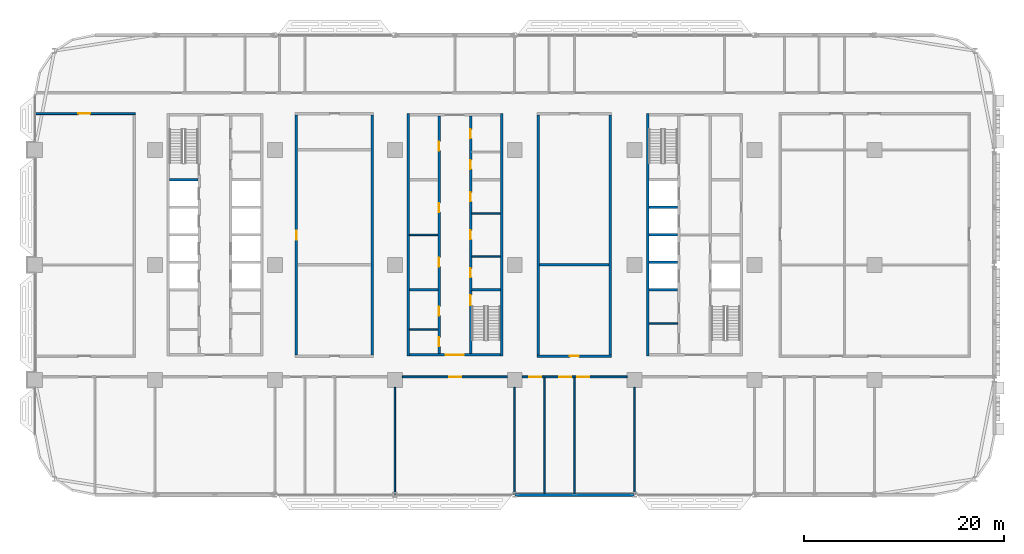
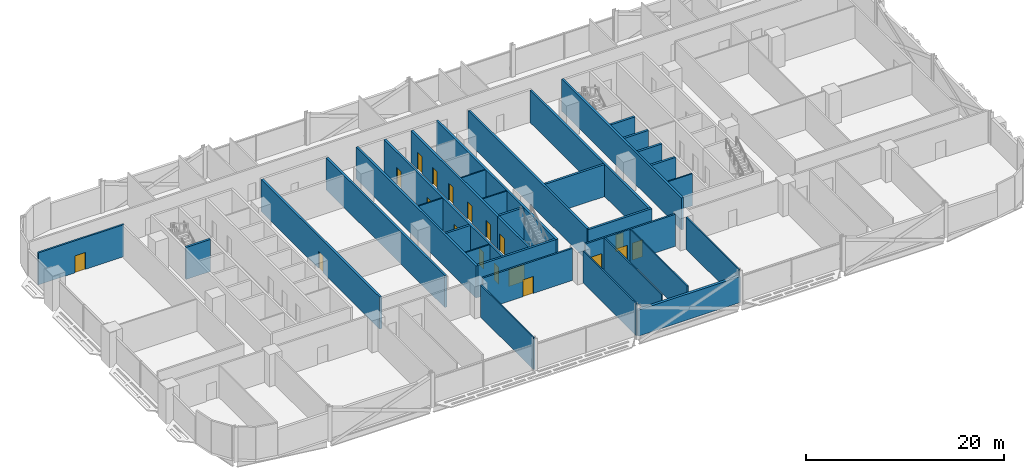
# One storey, part 13 of 29: 34 walls, 19 doors, 19 openings.
"""IFC4 building model written with IfcOpenShell, lengths in metres."""

from ifc_helpers import new_model, si_unit, direction, frame, frame_2d, origin, place, context, subcontext, project, spatial, rectangle, extrude, material, layer, layer_set, type_object, element, fill, save


model = new_model("IFC4")

# Units and contexts
model_context = context("Model", 3, precision=1e-05, world=origin(), true_north=direction((0.0, 1.0)))
body_context = subcontext(model_context, "Body", "Model", "MODEL_VIEW")
ifc_project = project(units=[si_unit("LENGTHUNIT", "METRE"), si_unit("AREAUNIT", "SQUARE_METRE"), si_unit("VOLUMEUNIT", "CUBIC_METRE"), si_unit("PLANEANGLEUNIT", "RADIAN"), si_unit("MASSUNIT", "GRAM", prefix="KILO")], contexts=[model_context])

# Site, building, storey
site_placement = place(None, origin())
site = spatial("IfcSite", under=ifc_project, at=site_placement, CompositionType="ELEMENT")
building_placement = place(site_placement, origin())
building = spatial("IfcBuilding", under=site, at=building_placement, Name="Mahtab Terrace Research Tower", CompositionType="ELEMENT")
storey_placement = place(building_placement, frame((0.0, 0.0, 67.5)))
storey = spatial("IfcBuildingStorey", under=building, at=storey_placement, Name="L15", CompositionType="ELEMENT", Elevation=67.5)

# Walls
ifc_material_1 = material(Name="Gypsum board partition")
ifc_layer_1 = layer(ifc_material_1, 0.14990234375)
ifc_layer_set_1 = layer_set([ifc_layer_1], Name="Core partition 150")
wall_type_1 = type_object("IfcWallType", Name="Core partition 150", PredefinedType="PARTITIONING", material=ifc_layer_set_1)
for number, where, z_axis, x_axis, name in (
    (1, (-4.550048828125, 3.0, 0.0), (0.0, 0.0, 1.0), (1.0, 0.0, 0.0), "Core wall B pWL0"),
    (2, (1.699951171875, 0.85009765625, 0.0), (0.0, 0.0, 1.0), (1.0, 0.0, 0.0), "Core wall B pEL-215"),
    (3, (1.699951171875, 5.14990234375, 0.0), (0.0, 0.0, 1.0), (1.0, 0.0, 0.0), "Core wall B pEL215"),
    (4, (-4.550048828125, -6.47509765625, 0.0), (0.0, 0.0, 1.0), (1.0, 0.0, 0.0), "Core wall B pWS-948"),
    (5, (19.449951171875, -5.875, 0.0), (0.0, 0.0, 1.0), (1.0, 0.0, 0.0), "Core wall C pWS-888"),
):
    element("IfcWall", number, at=place(storey_placement, frame(where, z_axis=z_axis, x_axis=x_axis)), inside=storey, type_object=wall_type_1, Name=name, PredefinedType="PARTITIONING", context=body_context, shape_type="SweptSolid", body=[
        extrude(rectangle(XDim=2.85009765625, YDim=0.14990234375, at=frame_2d((1.425048828125, 0.0))), origin(), (0.0, 0.0, 1.0), 3.9599609375),
    ])
ifc_material_2 = material(Name="Concrete C70/85", Category="concrete")
ifc_layer_2 = layer(ifc_material_2, 0.25)
ifc_layer_set_2 = layer_set([ifc_layer_2], Name="Core wall 250")
wall_type_2 = type_object("IfcWallType", Name="Core wall 250", PredefinedType="SOLIDWALL", material=ifc_layer_set_2)
wall_1_placement = place(storey_placement, frame((-28.550048828125, 8.5, 0.0), z_axis=(0.0, 0.0, 1.0), x_axis=(1.0, 0.0, 0.0)))
element("IfcWall", 6, at=wall_1_placement, inside=storey, type_object=wall_type_2, Name="Core wall A divW4", PredefinedType="SOLIDWALL", context=body_context, shape_type="SweptSolid", body=[
    extrude(rectangle(XDim=2.85009765625, YDim=0.25, at=frame_2d((1.425048828125, 0.0))), origin(), (0.0, 0.0, 1.0), 3.9599609375),
])
for number, where, z_axis, x_axis, name in (
    (7, (-4.675048828125, 15.125, 0.0), (0.0, 0.0, 1.0), (0.0, -1.0, 0.0), "Core wall B outerW"),
    (8, (4.675048828125, -9.125, 0.0), (0.0, 0.0, 1.0), (0.0, 1.0, 0.0), "Core wall B outerE"),
):
    element("IfcWall", number, at=place(storey_placement, frame(where, z_axis=z_axis, x_axis=x_axis)), inside=storey, type_object=wall_type_2, Name=name, PredefinedType="SOLIDWALL", context=body_context, shape_type="SweptSolid", body=[
        extrude(rectangle(XDim=24.25, YDim=0.25, at=frame_2d((12.125, 0.0))), origin(), (0.0, 0.0, 1.0), 3.9599609375),
    ])

# Wall, opening, door
wall_2_placement = place(storey_placement, frame((4.550048828125, -9.0, 0.0), z_axis=(0.0, 0.0, 1.0), x_axis=(-1.0, 0.0, 0.0)))
wall_2 = element("IfcWall", 9, at=wall_2_placement, inside=storey, type_object=wall_type_2, Name="Core wall B endS", PredefinedType="SOLIDWALL", context=body_context, shape_type="SweptSolid", body=[
    extrude(rectangle(XDim=9.10009765625, YDim=0.25, at=frame_2d((4.550048828125, 0.0))), origin(), (0.0, 0.0, 1.0), 3.9599609375),
])
opening_1_placement = place(wall_2_placement, frame((3.64990234375, 0.0, 0.0)))
opening_1 = element("IfcOpeningElement", 10, at=opening_1_placement, cuts=wall_2, Name="Opening B-S1", PredefinedType="OPENING", context=body_context, shape_type="SweptSolid", body=[
    extrude(rectangle(XDim=1.800048828125, YDim=2.10009765625, at=frame_2d((0.89990234375, 1.050048828125))), frame((0.0, 0.135009765625, 0.0), z_axis=(0.0, -1.0, 0.0), x_axis=(1.0, 0.0, 0.0)), (0.0, 0.0, 1.0), 0.27001953125),
])
ifc_material_3 = material(Name="Steel fire door", Category="steel")
door_type_1 = type_object("IfcDoorType", Name="Lobby double door 1800x2100 1 HR", OperationType="DOUBLE_DOOR_SINGLE_SWING", PredefinedType="DOOR", material=ifc_material_3)
door_1_placement = place(opening_1_placement, origin())
door_1 = element("IfcDoor", 11, at=door_1_placement, inside=storey, type_object=door_type_1, Name="Core entrance door B S", OperationType="DOUBLE_DOOR_SINGLE_SWING", OverallHeight=2.10009765625, OverallWidth=1.800048828125, PredefinedType="DOOR", context=body_context, shape_type="SweptSolid", body=[
    extrude(rectangle(XDim=1.800048828125, YDim=2.10009765625, at=frame_2d((0.89990234375, 1.050048828125))), frame((0.0, 0.02490234375, 0.0), z_axis=(0.0, -1.0, 0.0), x_axis=(1.0, 0.0, 0.0)), (0.0, 0.0, 1.0), 0.050048828125),
])
fill(opening_1, door_1)

# Wall, openings, doors
wall_3_placement = place(storey_placement, frame((-1.574951171875, -8.875, 0.0), z_axis=(0.0, 0.0, 1.0), x_axis=(0.0, 1.0, 0.0)))
wall_3 = element("IfcWall", 12, at=wall_3_placement, inside=storey, type_object=wall_type_2, Name="Core wall B innerWSLN", PredefinedType="SOLIDWALL", context=body_context, shape_type="SweptSolid", body=[
    extrude(rectangle(XDim=23.75, YDim=0.25, at=frame_2d((11.875, 0.0))), origin(), (0.0, 0.0, 1.0), 3.9599609375),
])
opening_2_placement = place(wall_3_placement, frame((8.699951171875, 0.0, 0.0)))
opening_2 = element("IfcOpeningElement", 13, at=opening_2_placement, cuts=wall_3, Name="Opening B-R1", PredefinedType="OPENING", context=body_context, shape_type="SweptSolid", body=[
    extrude(rectangle(XDim=0.89990234375, YDim=2.10009765625, at=frame_2d((0.449951171875, 1.050048828125))), frame((0.0, 0.135009765625, 0.0), z_axis=(0.0, -1.0, 0.0), x_axis=(1.0, 0.0, 0.0)), (0.0, 0.0, 1.0), 0.27001953125),
])
opening_3_placement = place(wall_3_placement, frame((14.14990234375, 0.0, 0.0)))
opening_3 = element("IfcOpeningElement", 14, at=opening_3_placement, cuts=wall_3, Name="Opening B-R2", PredefinedType="OPENING", context=body_context, shape_type="SweptSolid", body=[
    extrude(rectangle(XDim=0.89990234375, YDim=2.10009765625, at=frame_2d((0.449951171875, 1.050048828125))), frame((0.0, 0.135009765625, 0.0), z_axis=(0.0, -1.0, 0.0), x_axis=(1.0, 0.0, 0.0)), (0.0, 0.0, 1.0), 0.27001953125),
])
opening_4_placement = place(wall_3_placement, frame((0.71240234375, 0.0, 0.0)))
opening_4 = element("IfcOpeningElement", 15, at=opening_4_placement, cuts=wall_3, Name="Opening B-R6", PredefinedType="OPENING", context=body_context, shape_type="SweptSolid", body=[
    extrude(rectangle(XDim=0.89990234375, YDim=2.10009765625, at=frame_2d((0.449951171875, 1.050048828125))), frame((0.0, 0.135009765625, 0.0), z_axis=(0.0, -1.0, 0.0), x_axis=(1.0, 0.0, 0.0)), (0.0, 0.0, 1.0), 0.27001953125),
])
opening_5_placement = place(wall_3_placement, frame((3.78759765625, 0.0, 0.0)))
opening_5 = element("IfcOpeningElement", 16, at=opening_5_placement, cuts=wall_3, Name="Opening B-R7", PredefinedType="OPENING", context=body_context, shape_type="SweptSolid", body=[
    extrude(rectangle(XDim=0.89990234375, YDim=2.10009765625, at=frame_2d((0.449951171875, 1.050048828125))), frame((0.0, 0.135009765625, 0.0), z_axis=(0.0, -1.0, 0.0), x_axis=(1.0, 0.0, 0.0)), (0.0, 0.0, 1.0), 0.27001953125),
])
opening_6_placement = place(wall_3_placement, frame((20.300048828125, 0.0, 0.0)))
opening_6 = element("IfcOpeningElement", 17, at=opening_6_placement, cuts=wall_3, Name="Opening B-R8", PredefinedType="OPENING", context=body_context, shape_type="SweptSolid", body=[
    extrude(rectangle(XDim=0.89990234375, YDim=2.10009765625, at=frame_2d((0.449951171875, 1.050048828125))), frame((0.0, 0.135009765625, 0.0), z_axis=(0.0, -1.0, 0.0), x_axis=(1.0, 0.0, 0.0)), (0.0, 0.0, 1.0), 0.27001953125),
])
door_type_2 = type_object("IfcDoorType", Name="Room door 900x2100 1 HR", OperationType="NOTDEFINED", PredefinedType="DOOR", material=ifc_material_3)
door_2_placement = place(opening_2_placement, origin())
door_2 = element("IfcDoor", 18, at=door_2_placement, inside=storey, type_object=door_type_2, Name="Document store door", OperationType="SINGLE_SWING_LEFT", OverallHeight=2.10009765625, OverallWidth=0.89990234375, PredefinedType="DOOR", context=body_context, shape_type="SweptSolid", body=[
    extrude(rectangle(XDim=0.89990234375, YDim=2.10009765625, at=frame_2d((0.449951171875, 1.050048828125))), frame((0.0, 0.02490234375, 0.0), z_axis=(0.0, -1.0, 0.0), x_axis=(1.0, 0.0, 0.0)), (0.0, 0.0, 1.0), 0.050048828125),
])
fill(opening_2, door_2)
door_3_placement = place(opening_3_placement, origin())
door_3 = element("IfcDoor", 19, at=door_3_placement, inside=storey, type_object=door_type_2, Name="IT equipment room door", OperationType="SINGLE_SWING_RIGHT", OverallHeight=2.10009765625, OverallWidth=0.89990234375, PredefinedType="DOOR", context=body_context, shape_type="SweptSolid", body=[
    extrude(rectangle(XDim=0.89990234375, YDim=2.10009765625, at=frame_2d((0.449951171875, 1.050048828125))), frame((0.0, 0.02490234375, 0.0), z_axis=(0.0, -1.0, 0.0), x_axis=(1.0, 0.0, 0.0)), (0.0, 0.0, 1.0), 0.050048828125),
])
fill(opening_3, door_3)
door_4_placement = place(opening_4_placement, origin())
door_4 = element("IfcDoor", 20, at=door_4_placement, inside=storey, type_object=door_type_2, Name="Mechanical riser room door", OperationType="SINGLE_SWING_RIGHT", OverallHeight=2.10009765625, OverallWidth=0.89990234375, PredefinedType="DOOR", context=body_context, shape_type="SweptSolid", body=[
    extrude(rectangle(XDim=0.89990234375, YDim=2.10009765625, at=frame_2d((0.449951171875, 1.050048828125))), frame((0.0, 0.02490234375, 0.0), z_axis=(0.0, -1.0, 0.0), x_axis=(1.0, 0.0, 0.0)), (0.0, 0.0, 1.0), 0.050048828125),
])
fill(opening_4, door_4)
door_5_placement = place(opening_5_placement, origin())
door_5 = element("IfcDoor", 21, at=door_5_placement, inside=storey, type_object=door_type_2, Name="Chemical store door", OperationType="SINGLE_SWING_LEFT", OverallHeight=2.10009765625, OverallWidth=0.89990234375, PredefinedType="DOOR", context=body_context, shape_type="SweptSolid", body=[
    extrude(rectangle(XDim=0.89990234375, YDim=2.10009765625, at=frame_2d((0.449951171875, 1.050048828125))), frame((0.0, 0.02490234375, 0.0), z_axis=(0.0, -1.0, 0.0), x_axis=(1.0, 0.0, 0.0)), (0.0, 0.0, 1.0), 0.050048828125),
])
fill(opening_5, door_5)
door_6_placement = place(opening_6_placement, origin())
door_6 = element("IfcDoor", 22, at=door_6_placement, inside=storey, type_object=door_type_2, Name="Gas cylinder store door", OperationType="SINGLE_SWING_RIGHT", OverallHeight=2.10009765625, OverallWidth=0.89990234375, PredefinedType="DOOR", context=body_context, shape_type="SweptSolid", body=[
    extrude(rectangle(XDim=0.89990234375, YDim=2.10009765625, at=frame_2d((0.449951171875, 1.050048828125))), frame((0.0, 0.02490234375, 0.0), z_axis=(0.0, -1.0, 0.0), x_axis=(1.0, 0.0, 0.0)), (0.0, 0.0, 1.0), 0.050048828125),
])
fill(opening_6, door_6)

# Wall, opening, door
wall_4_placement = place(storey_placement, frame((1.574951171875, -8.875, 0.0), z_axis=(0.0, 0.0, 1.0), x_axis=(0.0, 1.0, 0.0)))
wall_4 = element("IfcWall", 23, at=wall_4_placement, inside=storey, type_object=wall_type_2, Name="Core wall B innerES", PredefinedType="SOLIDWALL", context=body_context, shape_type="SweptSolid", body=[
    extrude(rectangle(XDim=6.25, YDim=0.25, at=frame_2d((3.125, 0.0))), origin(), (0.0, 0.0, 1.0), 3.9599609375),
])
opening_7_placement = place(wall_4_placement, frame((4.85009765625, 0.0, 0.0)))
opening_7 = element("IfcOpeningElement", 24, at=opening_7_placement, cuts=wall_4, Name="Opening B-ST2", PredefinedType="OPENING", context=body_context, shape_type="SweptSolid", body=[
    extrude(rectangle(XDim=1.0, YDim=2.10009765625, at=frame_2d((0.5, 1.050048828125))), frame((0.0, 0.135009765625, 0.0), z_axis=(0.0, -1.0, 0.0), x_axis=(1.0, 0.0, 0.0)), (0.0, 0.0, 1.0), 0.27001953125),
])
door_type_3 = type_object("IfcDoorType", Name="Stair door 1000x2100 1.5 HR", OperationType="NOTDEFINED", PredefinedType="DOOR", material=ifc_material_3)
door_7_placement = place(opening_7_placement, origin())
door_7 = element("IfcDoor", 25, at=door_7_placement, inside=storey, type_object=door_type_3, Name="Stair door ST2 L15", OperationType="SINGLE_SWING_LEFT", OverallHeight=2.10009765625, OverallWidth=1.0, PredefinedType="DOOR", context=body_context, shape_type="SweptSolid", body=[
    extrude(rectangle(XDim=1.0, YDim=2.10009765625, at=frame_2d((0.5, 1.050048828125))), frame((0.0, 0.02490234375, 0.0), z_axis=(0.0, -1.0, 0.0), x_axis=(1.0, 0.0, 0.0)), (0.0, 0.0, 1.0), 0.050048828125),
])
fill(opening_7, door_7)

# Wall, openings, doors
wall_5_placement = place(storey_placement, frame((1.574951171875, 14.875, 0.0), z_axis=(0.0, 0.0, 1.0), x_axis=(0.0, -1.0, 0.0)))
wall_5 = element("IfcWall", 26, at=wall_5_placement, inside=storey, type_object=wall_type_2, Name="Core wall B innerELN", PredefinedType="SOLIDWALL", context=body_context, shape_type="SweptSolid", body=[
    extrude(rectangle(XDim=17.5, YDim=0.25, at=frame_2d((8.75, 0.0))), origin(), (0.0, 0.0, 1.0), 3.9599609375),
])
opening_8_placement = place(wall_5_placement, frame((15.22509765625, 0.0, 0.0)))
opening_8 = element("IfcOpeningElement", 27, at=opening_8_placement, cuts=wall_5, Name="Opening B-R3", PredefinedType="OPENING", context=body_context, shape_type="SweptSolid", body=[
    extrude(rectangle(XDim=0.89990234375, YDim=2.10009765625, at=frame_2d((0.449951171875, 1.050048828125))), frame((0.0, 0.135009765625, 0.0), z_axis=(0.0, -1.0, 0.0), x_axis=(1.0, 0.0, 0.0)), (0.0, 0.0, 1.0), 0.27001953125),
])
opening_9_placement = place(wall_5_placement, frame((11.425048828125, 0.0, 0.0)))
opening_9 = element("IfcOpeningElement", 28, at=opening_9_placement, cuts=wall_5, Name="Opening B-R4", PredefinedType="OPENING", context=body_context, shape_type="SweptSolid", body=[
    extrude(rectangle(XDim=0.89990234375, YDim=2.10009765625, at=frame_2d((0.449951171875, 1.050048828125))), frame((0.0, 0.135009765625, 0.0), z_axis=(0.0, -1.0, 0.0), x_axis=(1.0, 0.0, 0.0)), (0.0, 0.0, 1.0), 0.27001953125),
])
opening_10_placement = place(wall_5_placement, frame((7.625, 0.0, 0.0)))
opening_10 = element("IfcOpeningElement", 29, at=opening_10_placement, cuts=wall_5, Name="Opening B-R5", PredefinedType="OPENING", context=body_context, shape_type="SweptSolid", body=[
    extrude(rectangle(XDim=0.89990234375, YDim=2.10009765625, at=frame_2d((0.449951171875, 1.050048828125))), frame((0.0, 0.135009765625, 0.0), z_axis=(0.0, -1.0, 0.0), x_axis=(1.0, 0.0, 0.0)), (0.0, 0.0, 1.0), 0.27001953125),
])
opening_11_placement = place(wall_5_placement, frame((4.387451171875, 0.0, 0.0)))
opening_11 = element("IfcOpeningElement", 30, at=opening_11_placement, cuts=wall_5, Name="Opening B-R9", PredefinedType="OPENING", context=body_context, shape_type="SweptSolid", body=[
    extrude(rectangle(XDim=0.89990234375, YDim=2.10009765625, at=frame_2d((0.449951171875, 1.050048828125))), frame((0.0, 0.135009765625, 0.0), z_axis=(0.0, -1.0, 0.0), x_axis=(1.0, 0.0, 0.0)), (0.0, 0.0, 1.0), 0.27001953125),
])
opening_12_placement = place(wall_5_placement, frame((1.3125, 0.0, 0.0)))
opening_12 = element("IfcOpeningElement", 31, at=opening_12_placement, cuts=wall_5, Name="Opening B-R10", PredefinedType="OPENING", context=body_context, shape_type="SweptSolid", body=[
    extrude(rectangle(XDim=0.89990234375, YDim=2.10009765625, at=frame_2d((0.449951171875, 1.050048828125))), frame((0.0, 0.135009765625, 0.0), z_axis=(0.0, -1.0, 0.0), x_axis=(1.0, 0.0, 0.0)), (0.0, 0.0, 1.0), 0.27001953125),
])
door_8_placement = place(opening_8_placement, origin())
door_8 = element("IfcDoor", 32, at=door_8_placement, inside=storey, type_object=door_type_2, Name="Electrical room door", OperationType="SINGLE_SWING_LEFT", OverallHeight=2.10009765625, OverallWidth=0.89990234375, PredefinedType="DOOR", context=body_context, shape_type="SweptSolid", body=[
    extrude(rectangle(XDim=0.89990234375, YDim=2.10009765625, at=frame_2d((0.449951171875, 1.050048828125))), frame((0.0, 0.02490234375, 0.0), z_axis=(0.0, -1.0, 0.0), x_axis=(1.0, 0.0, 0.0)), (0.0, 0.0, 1.0), 0.050048828125),
])
fill(opening_8, door_8)
door_9_placement = place(opening_9_placement, origin())
door_9 = element("IfcDoor", 33, at=door_9_placement, inside=storey, type_object=door_type_2, Name="Pantry door", OperationType="SINGLE_SWING_RIGHT", OverallHeight=2.10009765625, OverallWidth=0.89990234375, PredefinedType="DOOR", context=body_context, shape_type="SweptSolid", body=[
    extrude(rectangle(XDim=0.89990234375, YDim=2.10009765625, at=frame_2d((0.449951171875, 1.050048828125))), frame((0.0, 0.02490234375, 0.0), z_axis=(0.0, -1.0, 0.0), x_axis=(1.0, 0.0, 0.0)), (0.0, 0.0, 1.0), 0.050048828125),
])
fill(opening_9, door_9)
door_10_placement = place(opening_10_placement, origin())
door_10 = element("IfcDoor", 34, at=door_10_placement, inside=storey, type_object=door_type_2, Name="Housekeeping store door", OperationType="SINGLE_SWING_LEFT", OverallHeight=2.10009765625, OverallWidth=0.89990234375, PredefinedType="DOOR", context=body_context, shape_type="SweptSolid", body=[
    extrude(rectangle(XDim=0.89990234375, YDim=2.10009765625, at=frame_2d((0.449951171875, 1.050048828125))), frame((0.0, 0.02490234375, 0.0), z_axis=(0.0, -1.0, 0.0), x_axis=(1.0, 0.0, 0.0)), (0.0, 0.0, 1.0), 0.050048828125),
])
fill(opening_10, door_10)
door_11_placement = place(opening_11_placement, origin())
door_11 = element("IfcDoor", 35, at=door_11_placement, inside=storey, type_object=door_type_2, Name="Accessible WC door", OperationType="SINGLE_SWING_LEFT", OverallHeight=2.10009765625, OverallWidth=0.89990234375, PredefinedType="DOOR", context=body_context, shape_type="SweptSolid", body=[
    extrude(rectangle(XDim=0.89990234375, YDim=2.10009765625, at=frame_2d((0.449951171875, 1.050048828125))), frame((0.0, 0.02490234375, 0.0), z_axis=(0.0, -1.0, 0.0), x_axis=(1.0, 0.0, 0.0)), (0.0, 0.0, 1.0), 0.050048828125),
])
fill(opening_11, door_11)
door_12_placement = place(opening_12_placement, origin())
door_12 = element("IfcDoor", 36, at=door_12_placement, inside=storey, type_object=door_type_2, Name="WC block door", OperationType="SINGLE_SWING_RIGHT", OverallHeight=2.10009765625, OverallWidth=0.89990234375, PredefinedType="DOOR", context=body_context, shape_type="SweptSolid", body=[
    extrude(rectangle(XDim=0.89990234375, YDim=2.10009765625, at=frame_2d((0.449951171875, 1.050048828125))), frame((0.0, 0.02490234375, 0.0), z_axis=(0.0, -1.0, 0.0), x_axis=(1.0, 0.0, 0.0)), (0.0, 0.0, 1.0), 0.050048828125),
])
fill(opening_12, door_12)

# Walls
for number, where, z_axis, x_axis, name in (
    (37, (-4.550048828125, -2.5, 0.0), (0.0, 0.0, 1.0), (1.0, 0.0, 0.0), "Core wall B divW0"),
    (38, (1.699951171875, -2.5, 0.0), (0.0, 0.0, 1.0), (1.0, 0.0, 0.0), "Core wall B divE0"),
):
    element("IfcWall", number, at=place(storey_placement, frame(where, z_axis=z_axis, x_axis=x_axis)), inside=storey, type_object=wall_type_2, Name=name, PredefinedType="SOLIDWALL", context=body_context, shape_type="SweptSolid", body=[
        extrude(rectangle(XDim=2.85009765625, YDim=0.25, at=frame_2d((1.425048828125, 0.0))), origin(), (0.0, 0.0, 1.0), 3.9599609375),
    ])
wall_6_placement = place(storey_placement, frame((19.324951171875, 15.125, 0.0), z_axis=(0.0, 0.0, 1.0), x_axis=(0.0, -1.0, 0.0)))
element("IfcWall", 39, at=wall_6_placement, inside=storey, type_object=wall_type_2, Name="Core wall C outerW", PredefinedType="SOLIDWALL", context=body_context, shape_type="SweptSolid", body=[
    extrude(rectangle(XDim=24.25, YDim=0.25, at=frame_2d((12.125, 0.0))), origin(), (0.0, 0.0, 1.0), 3.9599609375),
])
for number, where, z_axis, x_axis, name in (
    (40, (19.449951171875, -2.5, 0.0), (0.0, 0.0, 1.0), (1.0, 0.0, 0.0), "Core wall C divW0"),
    (41, (19.449951171875, 0.25, 0.0), (0.0, 0.0, 1.0), (1.0, 0.0, 0.0), "Core wall C divW1"),
    (42, (19.449951171875, 3.0, 0.0), (0.0, 0.0, 1.0), (1.0, 0.0, 0.0), "Core wall C divW2"),
    (43, (19.449951171875, 5.75, 0.0), (0.0, 0.0, 1.0), (1.0, 0.0, 0.0), "Core wall C divW3"),
):
    element("IfcWall", number, at=place(storey_placement, frame(where, z_axis=z_axis, x_axis=x_axis)), inside=storey, type_object=wall_type_2, Name=name, PredefinedType="SOLIDWALL", context=body_context, shape_type="SweptSolid", body=[
        extrude(rectangle(XDim=2.85009765625, YDim=0.25, at=frame_2d((1.425048828125, 0.0))), origin(), (0.0, 0.0, 1.0), 3.9599609375),
    ])
ifc_material_4 = material(Name="Black aluminium cladding panel", Category="aluminium")
ifc_layer_3 = layer(ifc_material_4, 0.300048828125)
ifc_layer_set_3 = layer_set([ifc_layer_3], Name="Opaque facade wall 300")
wall_type_3 = type_object("IfcWallType", Name="Opaque facade wall 300", PredefinedType="NOTDEFINED", material=ifc_layer_set_3)
wall_7_placement = place(storey_placement, frame((6.02392578125, -23.0, 0.0), z_axis=(0.0, 0.0, 1.0), x_axis=(1.0, 0.0, 0.0)))
element("IfcWall", 44, at=wall_7_placement, inside=storey, type_object=wall_type_3, Name="Opaque facade wall L15 S27", PredefinedType="NOTDEFINED", context=body_context, shape_type="SweptSolid", body=[
    extrude(rectangle(XDim=11.9521484375, YDim=0.300048828125, at=frame_2d((5.97607421875, 0.0))), origin(), (0.0, 0.0, 1.0), 3.203125),
])

# Wall, opening, door
ifc_material_5 = material(Name="Masonry control area wall", Category="masonry")
ifc_layer_4 = layer(ifc_material_5, 0.25)
ifc_layer_set_4 = layer_set([ifc_layer_4], Name="WALL CONTROL AREA 250")
wall_type_4 = type_object("IfcWallType", Name="WALL CONTROL AREA 250", PredefinedType="PARTITIONING", material=ifc_layer_set_4)
wall_8_placement = place(storey_placement, frame((8.22509765625, -9.125, 0.0), z_axis=(0.0, 0.0, 1.0), x_axis=(1.0, 0.0, 0.0)))
wall_8 = element("IfcWall", 45, at=wall_8_placement, inside=storey, type_object=wall_type_4, Name="L15-W011", PredefinedType="PARTITIONING", context=body_context, shape_type="SweptSolid", body=[
    extrude(rectangle(XDim=7.449951171875, YDim=0.25, at=frame_2d((3.72509765625, 0.0))), origin(), (0.0, 0.0, 1.0), 3.9599609375),
])
opening_13_placement = place(wall_8_placement, frame((3.300048828125, 0.0, 0.0)))
opening_13 = element("IfcOpeningElement", 46, at=opening_13_placement, cuts=wall_8, Name="Opening L15-118", PredefinedType="OPENING", context=body_context, shape_type="SweptSolid", body=[
    extrude(rectangle(XDim=0.89990234375, YDim=2.10009765625, at=frame_2d((0.449951171875, 1.050048828125))), frame((0.0, 0.135009765625, 0.0), z_axis=(0.0, -1.0, 0.0), x_axis=(1.0, 0.0, 0.0)), (0.0, 0.0, 1.0), 0.27001953125),
])
ifc_material_6 = material(Name="Timber door leaf in steel frame", Category="steel")
door_type_4 = type_object("IfcDoorType", Name="DOOR 0900X2100 FD120", OperationType="SINGLE_SWING_LEFT", PredefinedType="DOOR", material=ifc_material_6)
door_13_placement = place(opening_13_placement, origin())
door_13 = element("IfcDoor", 47, at=door_13_placement, inside=storey, type_object=door_type_4, Name="Door L15-118", OperationType="SINGLE_SWING_RIGHT", OverallHeight=2.10009765625, OverallWidth=0.89990234375, PredefinedType="DOOR", context=body_context, shape_type="SweptSolid", body=[
    extrude(rectangle(XDim=0.89990234375, YDim=2.10009765625, at=frame_2d((0.449951171875, 1.050048828125))), frame((0.0, 0.02490234375, 0.0), z_axis=(0.0, -1.0, 0.0), x_axis=(1.0, 0.0, 0.0)), (0.0, 0.0, 1.0), 0.050048828125),
])
fill(opening_13, door_13)

# Wall
wall_9_placement = place(storey_placement, frame((8.47509765625, 0.0, 0.0), z_axis=(0.0, 0.0, 1.0), x_axis=(1.0, 0.0, 0.0)))
element("IfcWall", 48, at=wall_9_placement, inside=storey, type_object=wall_type_4, Name="L15-W015", PredefinedType="PARTITIONING", context=body_context, shape_type="SweptSolid", body=[
    extrude(rectangle(XDim=6.949951171875, YDim=0.25, at=frame_2d((3.47509765625, 0.0))), origin(), (0.0, 0.0, 1.0), 3.9599609375),
])

# Wall, opening, door
wall_10_placement = place(storey_placement, frame((-15.85009765625, -9.0, 0.0), z_axis=(0.0, 0.0, 1.0), x_axis=(0.0, 1.0, 0.0)))
wall_10 = element("IfcWall", 49, at=wall_10_placement, inside=storey, type_object=wall_type_4, Name="L15-W033", PredefinedType="PARTITIONING", context=body_context, shape_type="SweptSolid", body=[
    extrude(rectangle(XDim=24.0, YDim=0.25, at=frame_2d((12.0, 0.0))), origin(), (0.0, 0.0, 1.0), 3.9599609375),
])
opening_14_placement = place(wall_10_placement, frame((11.5, 0.0, 0.0)))
opening_14 = element("IfcOpeningElement", 50, at=opening_14_placement, cuts=wall_10, Name="Opening L15-121", PredefinedType="OPENING", context=body_context, shape_type="SweptSolid", body=[
    extrude(rectangle(XDim=0.89990234375, YDim=2.10009765625, at=frame_2d((0.449951171875, 1.050048828125))), frame((0.0, 0.135009765625, 0.0), z_axis=(0.0, -1.0, 0.0), x_axis=(1.0, 0.0, 0.0)), (0.0, 0.0, 1.0), 0.27001953125),
])
door_14_placement = place(opening_14_placement, origin())
door_14 = element("IfcDoor", 51, at=door_14_placement, inside=storey, type_object=door_type_4, Name="Door L15-121", OperationType="SINGLE_SWING_RIGHT", OverallHeight=2.10009765625, OverallWidth=0.89990234375, PredefinedType="DOOR", context=body_context, shape_type="SweptSolid", body=[
    extrude(rectangle(XDim=0.89990234375, YDim=2.10009765625, at=frame_2d((0.449951171875, 1.050048828125))), frame((0.0, 0.02490234375, 0.0), z_axis=(0.0, -1.0, 0.0), x_axis=(1.0, 0.0, 0.0)), (0.0, 0.0, 1.0), 0.050048828125),
])
fill(opening_14, door_14)

# Walls
for number, where, z_axis, x_axis, name in (
    (52, (-8.25, -9.0, 0.0), (0.0, 0.0, 1.0), (0.0, 1.0, 0.0), "L15-W037"),
    (53, (8.35009765625, -9.0, 0.0), (0.0, 0.0, 1.0), (0.0, 1.0, 0.0), "L15-W042"),
    (54, (15.550048828125, -9.0, 0.0), (0.0, 0.0, 1.0), (0.0, 1.0, 0.0), "L15-W047"),
):
    element("IfcWall", number, at=place(storey_placement, frame(where, z_axis=z_axis, x_axis=x_axis)), inside=storey, type_object=wall_type_4, Name=name, PredefinedType="PARTITIONING", context=body_context, shape_type="SweptSolid", body=[
        extrude(rectangle(XDim=24.0, YDim=0.25, at=frame_2d((12.0, 0.0))), origin(), (0.0, 0.0, 1.0), 3.9599609375),
    ])

# Wall, opening, door
ifc_material_7 = material(Name="Gypsum board corridor wall on steel studs", Category="steel")
ifc_layer_5 = layer(ifc_material_7, 0.199951171875)
ifc_layer_set_5 = layer_set([ifc_layer_5], Name="WALL CORRIDOR 200")
wall_type_5 = type_object("IfcWallType", Name="WALL CORRIDOR 200", PredefinedType="PARTITIONING", material=ifc_layer_set_5)
wall_11_placement = place(storey_placement, frame((-5.25, -11.199951171875, 0.0), z_axis=(0.0, 0.0, 1.0), x_axis=(1.0, 0.0, 0.0)))
wall_11 = element("IfcWall", 55, at=wall_11_placement, inside=storey, type_object=wall_type_5, Name="L15-W004", PredefinedType="PARTITIONING", context=body_context, shape_type="SweptSolid", body=[
    extrude(rectangle(XDim=10.5, YDim=0.199951171875, at=frame_2d((5.25, 0.0))), origin(), (0.0, 0.0, 1.0), 3.9599609375),
])
opening_15_placement = place(wall_11_placement, frame((4.699951171875, 0.0, 0.0)))
opening_15 = element("IfcOpeningElement", 56, at=opening_15_placement, cuts=wall_11, Name="Opening L15-107", PredefinedType="OPENING", context=body_context, shape_type="SweptSolid", body=[
    extrude(rectangle(XDim=1.199951171875, YDim=2.10009765625, at=frame_2d((0.60009765625, 1.050048828125))), frame((0.0, 0.10986328125, 0.0), z_axis=(0.0, -1.0, 0.0), x_axis=(1.0, 0.0, 0.0)), (0.0, 0.0, 1.0), 0.219970703125),
])
door_type_5 = type_object("IfcDoorType", Name="DOOR 1200X2100 FD30S", OperationType="SINGLE_SWING_LEFT", PredefinedType="DOOR", material=ifc_material_6)
door_15_placement = place(opening_15_placement, origin())
door_15 = element("IfcDoor", 57, at=door_15_placement, inside=storey, type_object=door_type_5, Name="Door L15-107", OperationType="SINGLE_SWING_LEFT", OverallHeight=2.10009765625, OverallWidth=1.199951171875, PredefinedType="DOOR", context=body_context, shape_type="SweptSolid", body=[
    extrude(rectangle(XDim=1.199951171875, YDim=2.10009765625, at=frame_2d((0.60009765625, 1.050048828125))), frame((0.0, 0.02490234375, 0.0), z_axis=(0.0, -1.0, 0.0), x_axis=(1.0, 0.0, 0.0)), (0.0, 0.0, 1.0), 0.050048828125),
])
fill(opening_15, door_15)

# Wall, openings, doors
wall_12_placement = place(storey_placement, frame((6.75, -11.199951171875, 0.0), z_axis=(0.0, 0.0, 1.0), x_axis=(1.0, 0.0, 0.0)))
wall_12 = element("IfcWall", 58, at=wall_12_placement, inside=storey, type_object=wall_type_5, Name="L15-W005", PredefinedType="PARTITIONING", context=body_context, shape_type="SweptSolid", body=[
    extrude(rectangle(XDim=10.5, YDim=0.199951171875, at=frame_2d((5.25, 0.0))), origin(), (0.0, 0.0, 1.0), 3.9599609375),
])
opening_16_placement = place(wall_12_placement, frame((0.699951171875, 0.0, 0.0)))
opening_16 = element("IfcOpeningElement", 59, at=opening_16_placement, cuts=wall_12, Name="Opening L15-108", PredefinedType="OPENING", context=body_context, shape_type="SweptSolid", body=[
    extrude(rectangle(XDim=1.199951171875, YDim=2.10009765625, at=frame_2d((0.60009765625, 1.050048828125))), frame((0.0, 0.10986328125, 0.0), z_axis=(0.0, -1.0, 0.0), x_axis=(1.0, 0.0, 0.0)), (0.0, 0.0, 1.0), 0.219970703125),
])
opening_17_placement = place(wall_12_placement, frame((3.699951171875, 0.0, 0.0)))
opening_17 = element("IfcOpeningElement", 60, at=opening_17_placement, cuts=wall_12, Name="Opening L15-109", PredefinedType="OPENING", context=body_context, shape_type="SweptSolid", body=[
    extrude(rectangle(XDim=1.199951171875, YDim=2.10009765625, at=frame_2d((0.60009765625, 1.050048828125))), frame((0.0, 0.10986328125, 0.0), z_axis=(0.0, -1.0, 0.0), x_axis=(1.0, 0.0, 0.0)), (0.0, 0.0, 1.0), 0.219970703125),
])
opening_18_placement = place(wall_12_placement, frame((5.5, 0.0, 0.0)))
opening_18 = element("IfcOpeningElement", 61, at=opening_18_placement, cuts=wall_12, Name="Opening L15-110", PredefinedType="OPENING", context=body_context, shape_type="SweptSolid", body=[
    extrude(rectangle(XDim=1.199951171875, YDim=2.10009765625, at=frame_2d((0.60009765625, 1.050048828125))), frame((0.0, 0.10986328125, 0.0), z_axis=(0.0, -1.0, 0.0), x_axis=(1.0, 0.0, 0.0)), (0.0, 0.0, 1.0), 0.219970703125),
])
door_16_placement = place(opening_16_placement, origin())
door_16 = element("IfcDoor", 62, at=door_16_placement, inside=storey, type_object=door_type_5, Name="Door L15-108", OperationType="SINGLE_SWING_RIGHT", OverallHeight=2.10009765625, OverallWidth=1.199951171875, PredefinedType="DOOR", context=body_context, shape_type="SweptSolid", body=[
    extrude(rectangle(XDim=1.199951171875, YDim=2.10009765625, at=frame_2d((0.60009765625, 1.050048828125))), frame((0.0, 0.02490234375, 0.0), z_axis=(0.0, -1.0, 0.0), x_axis=(1.0, 0.0, 0.0)), (0.0, 0.0, 1.0), 0.050048828125),
])
fill(opening_16, door_16)
door_17_placement = place(opening_17_placement, origin())
door_17 = element("IfcDoor", 63, at=door_17_placement, inside=storey, type_object=door_type_5, Name="Door L15-109", OperationType="SINGLE_SWING_RIGHT", OverallHeight=2.10009765625, OverallWidth=1.199951171875, PredefinedType="DOOR", context=body_context, shape_type="SweptSolid", body=[
    extrude(rectangle(XDim=1.199951171875, YDim=2.10009765625, at=frame_2d((0.60009765625, 1.050048828125))), frame((0.0, 0.02490234375, 0.0), z_axis=(0.0, -1.0, 0.0), x_axis=(1.0, 0.0, 0.0)), (0.0, 0.0, 1.0), 0.050048828125),
])
fill(opening_17, door_17)
door_18_placement = place(opening_18_placement, origin())
door_18 = element("IfcDoor", 64, at=door_18_placement, inside=storey, type_object=door_type_5, Name="Door L15-110", OperationType="SINGLE_SWING_LEFT", OverallHeight=2.10009765625, OverallWidth=1.199951171875, PredefinedType="DOOR", context=body_context, shape_type="SweptSolid", body=[
    extrude(rectangle(XDim=1.199951171875, YDim=2.10009765625, at=frame_2d((0.60009765625, 1.050048828125))), frame((0.0, 0.02490234375, 0.0), z_axis=(0.0, -1.0, 0.0), x_axis=(1.0, 0.0, 0.0)), (0.0, 0.0, 1.0), 0.050048828125),
])
fill(opening_18, door_18)

# Wall, opening, door
wall_13_placement = place(storey_placement, frame((-41.97509765625, 15.125, 0.0), z_axis=(0.0, 0.0, 1.0), x_axis=(1.0, 0.0, 0.0)))
wall_13 = element("IfcWall", 65, at=wall_13_placement, inside=storey, type_object=wall_type_5, Name="L15-W021", PredefinedType="PARTITIONING", context=body_context, shape_type="SweptSolid", body=[
    extrude(rectangle(XDim=10.025146484375, YDim=0.199951171875, at=frame_2d((5.0126953125, 0.0))), origin(), (0.0, 0.0, 1.0), 3.9599609375),
])
opening_19_placement = place(wall_13_placement, frame((4.300048828125, 0.0, 0.0)))
opening_19 = element("IfcOpeningElement", 66, at=opening_19_placement, cuts=wall_13, Name="Opening L15-124", PredefinedType="OPENING", context=body_context, shape_type="SweptSolid", body=[
    extrude(rectangle(XDim=1.199951171875, YDim=2.10009765625, at=frame_2d((0.60009765625, 1.050048828125))), frame((0.0, 0.10986328125, 0.0), z_axis=(0.0, -1.0, 0.0), x_axis=(1.0, 0.0, 0.0)), (0.0, 0.0, 1.0), 0.219970703125),
])
door_19_placement = place(opening_19_placement, origin())
door_19 = element("IfcDoor", 67, at=door_19_placement, inside=storey, type_object=door_type_5, Name="Door L15-124", OperationType="SINGLE_SWING_RIGHT", OverallHeight=2.10009765625, OverallWidth=1.199951171875, PredefinedType="DOOR", context=body_context, shape_type="SweptSolid", body=[
    extrude(rectangle(XDim=1.199951171875, YDim=2.10009765625, at=frame_2d((0.60009765625, 1.050048828125))), frame((0.0, 0.02490234375, 0.0), z_axis=(0.0, -1.0, 0.0), x_axis=(1.0, 0.0, 0.0)), (0.0, 0.0, 1.0), 0.050048828125),
])
fill(opening_19, door_19)

# Walls
ifc_material_8 = material(Name="Gypsum board partition on steel studs", Category="steel")
ifc_layer_6 = layer(ifc_material_8, 0.14990234375)
ifc_layer_set_6 = layer_set([ifc_layer_6], Name="WALL PARTITION 150")
wall_type_6 = type_object("IfcWallType", Name="WALL PARTITION 150", PredefinedType="PARTITIONING", material=ifc_layer_set_6)
for number, where, z_axis, x_axis, name in (
    (68, (-6.0, -22.97509765625, 0.0), (0.0, 0.0, 1.0), (0.0, 1.0, 0.0), "L15-W038"),
    (69, (6.0, -22.97509765625, 0.0), (0.0, 0.0, 1.0), (0.0, 1.0, 0.0), "L15-W040"),
):
    element("IfcWall", number, at=place(storey_placement, frame(where, z_axis=z_axis, x_axis=x_axis)), inside=storey, type_object=wall_type_6, Name=name, PredefinedType="PARTITIONING", context=body_context, shape_type="SweptSolid", body=[
        extrude(rectangle(XDim=10.72509765625, YDim=0.14990234375, at=frame_2d((5.362548828125, 0.0))), origin(), (0.0, 0.0, 1.0), 3.9599609375),
    ])
for number, where, z_axis, x_axis, name in (
    (70, (9.0, -22.85009765625, 0.0), (0.0, 0.0, 1.0), (0.0, 1.0, 0.0), "L15-W043"),
    (71, (12.0, -22.85009765625, 0.0), (0.0, 0.0, 1.0), (0.0, 1.0, 0.0), "L15-W045"),
):
    element("IfcWall", number, at=place(storey_placement, frame(where, z_axis=z_axis, x_axis=x_axis)), inside=storey, type_object=wall_type_6, Name=name, PredefinedType="PARTITIONING", context=body_context, shape_type="SweptSolid", body=[
        extrude(rectangle(XDim=11.550048828125, YDim=0.14990234375, at=frame_2d((5.77490234375, 0.0))), origin(), (0.0, 0.0, 1.0), 3.9599609375),
    ])
wall_14_placement = place(storey_placement, frame((18.0, -22.97509765625, 0.0), z_axis=(0.0, 0.0, 1.0), x_axis=(0.0, 1.0, 0.0)))
element("IfcWall", 72, at=wall_14_placement, inside=storey, type_object=wall_type_6, Name="L15-W048", PredefinedType="PARTITIONING", context=body_context, shape_type="SweptSolid", body=[
    extrude(rectangle(XDim=10.72509765625, YDim=0.14990234375, at=frame_2d((5.362548828125, 0.0))), origin(), (0.0, 0.0, 1.0), 3.9599609375),
])

save(model, "model.ifc")
